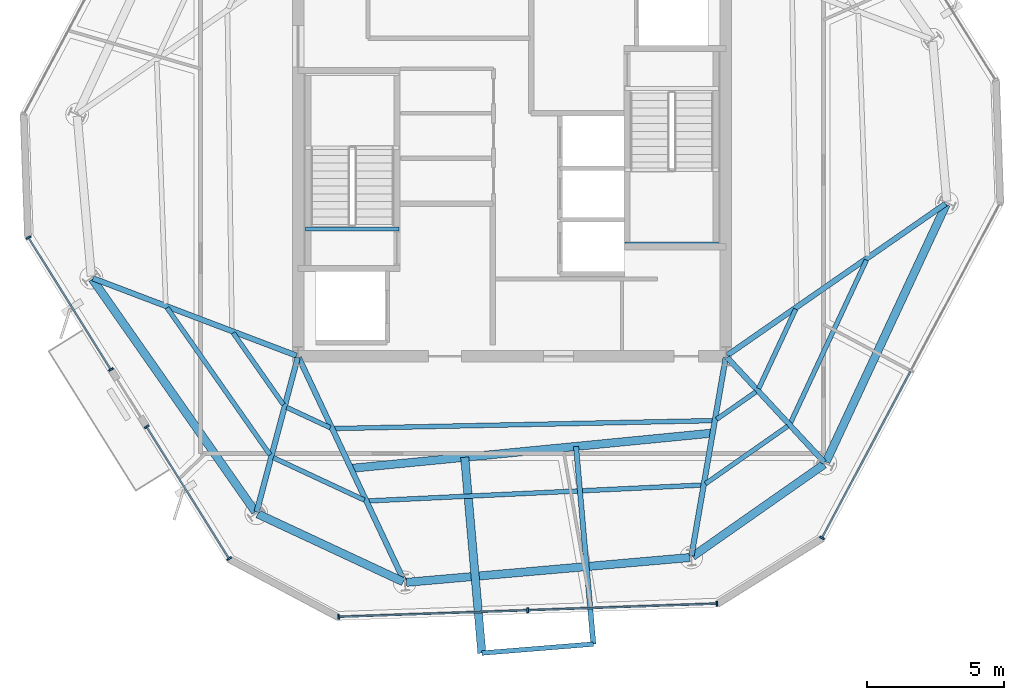
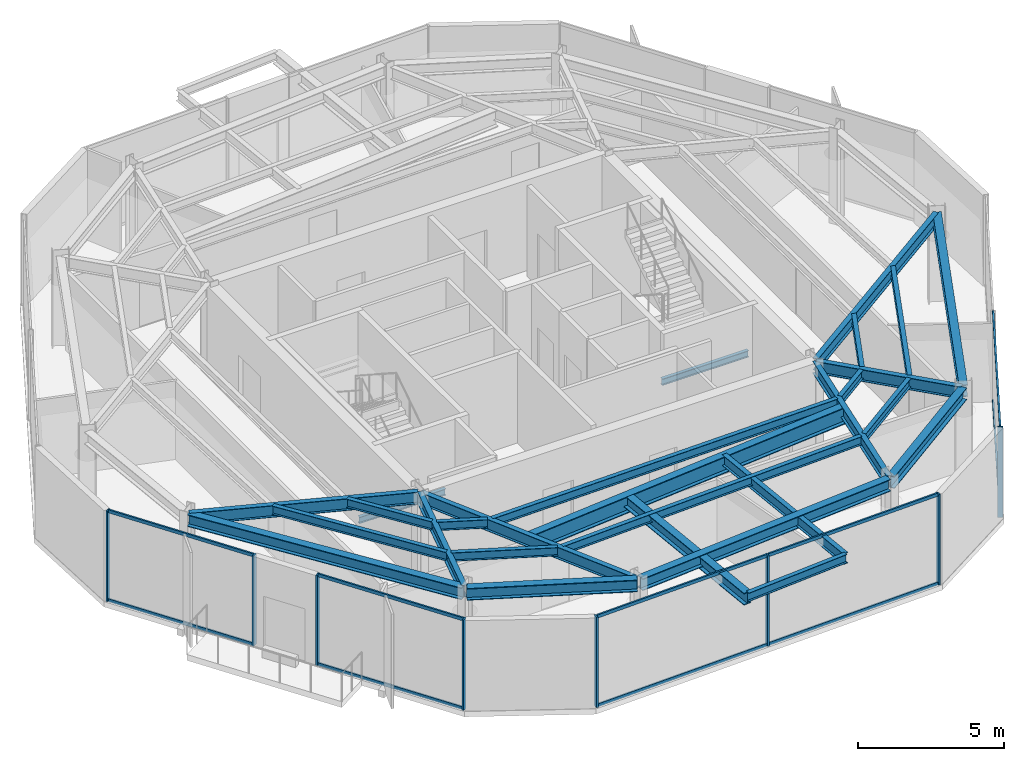
# One storey, part 2 of 11: 27 beams, 18 members, 4 elements without a shape of their own.
"""IFC4 building model written with IfcOpenShell, lengths in metres."""

import ifcopenshell
import ifcopenshell.guid

model = None  # the IFC model being written
_history = None  # IfcOwnerHistory: only IFC2X3 demands one
_inside = {}  # id of a spatial element -> (the spatial element, [elements in it])
_under = {}  # id of a project, library or spatial element -> (it, [spatial elements below it])
_declared = {}  # id of a project -> (the project, [libraries it declares])
_typed = {}  # id of a type object -> (the type object, [elements of that type])
_made_of = {}  # id of a material, layer set ... -> (it, [elements and type objects made of it])


def new_model(schema):
    """Start an empty IFC model of exactly this schema.

    Asked for "IFC4X3", IfcOpenShell would pick the latest addendum, in which some entities
    have other attributes; the version numbers below select the first issue.
    IFC2X3 requires an IfcOwnerHistory on every rooted entity: one is made here for all.
    """
    global model, _history
    if schema == "IFC4X3":
        model = ifcopenshell.file(schema_version=(4, 3, 0, 0))
    else:
        model = ifcopenshell.file(schema=schema)
    _inside.clear()
    _under.clear()
    _declared.clear()
    _typed.clear()
    _made_of.clear()
    _history = None
    if model.schema == "IFC2X3":
        org = make("IfcOrganization", Name="unknown")
        user = make(
            "IfcPersonAndOrganization",
            ThePerson=make("IfcPerson", FamilyName="unknown"),
            TheOrganization=org,
        )
        app = make(
            "IfcApplication",
            ApplicationDeveloper=org,
            Version="unknown",
            ApplicationFullName="unknown",
            ApplicationIdentifier="unknown",
        )
        _history = make(
            "IfcOwnerHistory",
            OwningUser=user,
            OwningApplication=app,
            ChangeAction="ADDED",
            CreationDate=0,
        )
    return model


def make(cls, **values):
    """One entity of the class cls with the attributes given. An attribute that is None is left unset."""
    return model.create_entity(
        cls, **{name: value for name, value in values.items() if value is not None}
    )


def rooted(cls, **values):
    """An entity with a GlobalId (a new one), such as an element, a storey or a relation."""
    return make(cls, GlobalId=ifcopenshell.guid.new(), OwnerHistory=_history, **values)


def si_unit(unit_type, name, prefix=None):
    """IfcSIUnit, for example si_unit("LENGTHUNIT", "METRE", prefix="MILLI")."""
    return make("IfcSIUnit", UnitType=unit_type, Prefix=prefix, Name=name)


def assignment(units):
    """IfcUnitAssignment: the units of a project."""
    return None if units is None else make("IfcUnitAssignment", Units=units)


def point(xyz):
    """IfcCartesianPoint."""
    return None if xyz is None else make("IfcCartesianPoint", Coordinates=xyz)


def direction(xyz):
    """IfcDirection."""
    return None if xyz is None else make("IfcDirection", DirectionRatios=xyz)


def frame(location, z_axis=None, x_axis=None):
    """IfcAxis2Placement3D, a coordinate frame: its origin and axes. An axis left out is left unset."""
    return make(
        "IfcAxis2Placement3D",
        Location=point(location),
        Axis=direction(z_axis),
        RefDirection=direction(x_axis),
    )


def frame_2d(location, x_axis=None):
    """IfcAxis2Placement2D, a coordinate frame in the plane: its origin and x axis."""
    return make(
        "IfcAxis2Placement2D", Location=point(location), RefDirection=direction(x_axis)
    )


def origin():
    """The frame at (0, 0, 0) with its axes left unset."""
    return frame((0.0, 0.0, 0.0))


def origin_2d():
    """The frame at (0, 0) in the plane with its x axis left unset."""
    return frame_2d((0.0, 0.0))


def place(relative_to, where):
    """IfcLocalPlacement: puts the frame where relative to a parent placement (None: the world)."""
    return make(
        "IfcLocalPlacement", PlacementRelTo=relative_to, RelativePlacement=where
    )


def context(
    kind, dimensions, precision=None, world=None, true_north=None, identifier=None
):
    """IfcGeometricRepresentationContext, for example the 3D "Model" context."""
    return make(
        "IfcGeometricRepresentationContext",
        ContextIdentifier=identifier,
        ContextType=kind,
        CoordinateSpaceDimension=dimensions,
        Precision=precision,
        WorldCoordinateSystem=world,
        TrueNorth=true_north,
    )


def subcontext(parent, identifier, kind, view, scale=None):
    """IfcGeometricRepresentationSubContext, for example "Body" below "Model"."""
    return make(
        "IfcGeometricRepresentationSubContext",
        ContextIdentifier=identifier,
        ContextType=kind,
        ParentContext=parent,
        TargetScale=scale,
        TargetView=view,
    )


def project(units=None, contexts=None):
    """IfcProject with its units and contexts."""
    return rooted(
        "IfcProject",
        Name="project",
        RepresentationContexts=contexts,
        UnitsInContext=assignment(units),
    )


def spatial(cls, under=None, at=None, **own):
    """A site, building, storey or space (cls), placed at a placement, below another one or the project."""
    s = rooted(cls, ObjectPlacement=at, **own)
    if under is not None:
        _under.setdefault(under.id(), (under, []))[1].append(s)
    return s


def profile(cls, at=None, kind="AREA", **sizes):
    """A parametric profile (cls). Its sizes go by their IFC names, for example OverallWidth=200.0."""
    return make(cls, ProfileType=kind, Position=at, **sizes)


def rectangle(**sizes):
    """IfcRectangleProfileDef."""
    return profile("IfcRectangleProfileDef", **sizes)


def i_section(**sizes):
    """IfcIShapeProfileDef."""
    return profile("IfcIShapeProfileDef", **sizes)


def extrude(swept, where, along, depth):
    """IfcExtrudedAreaSolid: the profile swept, set in the frame where, extruded along a direction by depth."""
    return make(
        "IfcExtrudedAreaSolid",
        SweptArea=swept,
        Position=where,
        ExtrudedDirection=direction(along),
        Depth=depth,
    )


def shape(context_of_items, identifier, shape_type, items):
    """IfcShapeRepresentation: the items that make up one representation, for example the "Body"."""
    return make(
        "IfcShapeRepresentation",
        ContextOfItems=context_of_items,
        RepresentationIdentifier=identifier,
        RepresentationType=shape_type,
        Items=items,
    )


def material(Name=None, Category=None):
    """IfcMaterial."""
    return make("IfcMaterial", Name=Name, Category=Category)


def layer(
    of_material, thickness, ventilated=None, Name=None, Category=None, Priority=None
):
    """IfcMaterialLayer: one layer of a wall or slab, of a material (None: an air gap)."""
    return make(
        "IfcMaterialLayer",
        Material=of_material,
        LayerThickness=thickness,
        IsVentilated=ventilated,
        Name=Name,
        Category=Category,
        Priority=Priority,
    )


def layer_set(layers, Name=None):
    """IfcMaterialLayerSet."""
    return make("IfcMaterialLayerSet", MaterialLayers=layers, LayerSetName=Name)


def material_profile(
    of_material, cross_section, Name=None, Category=None, Priority=None
):
    """IfcMaterialProfile: a cross section and its material."""
    return make(
        "IfcMaterialProfile",
        Name=Name,
        Material=of_material,
        Profile=cross_section,
        Priority=Priority,
        Category=Category,
    )


def profile_set(profiles, Name=None, composite=None):
    """IfcMaterialProfileSet."""
    return make(
        "IfcMaterialProfileSet",
        Name=Name,
        MaterialProfiles=profiles,
        CompositeProfile=composite,
    )


def made_of(thing, what):
    """Note that an element or type object is made of a material, layer set ...; save() writes the relation."""
    if what is not None:
        _made_of.setdefault(what.id(), (what, []))[1].append(thing)
    return thing


def type_object(cls, material=None, **own):
    """A type object (cls), such as IfcWallType, which elements share."""
    return made_of(rooted(cls, **own), material)


def element(
    cls,
    number,
    at=None,
    inside=None,
    cuts=None,
    type_object=None,
    material=None,
    context=None,
    identifier="Body",
    shape_type=None,
    held_by="IfcProductDefinitionShape",
    body=None,
    shapes=None,
    **own,
):
    """One element of the class cls, such as IfcWall. Its Tag is "e" and its number.

    at: its placement. inside: the storey or other place that contains it. cuts: it is an
    opening in that element (IfcRelVoidsElement). A single representation is given by context,
    identifier, shape_type and body (its items); several are given by shapes. held_by: the class
    of the entity that holds the representations. save() writes the other relations.
    """
    e = rooted(cls, Tag="e%d" % number, ObjectPlacement=at, **own)
    if body is not None:
        shapes = [shape(context, identifier, shape_type, body)]
    if shapes is not None:
        e.Representation = make(held_by, Representations=shapes)
    if inside is not None:
        _inside.setdefault(inside.id(), (inside, []))[1].append(e)
    if cuts is not None:
        rooted(
            "IfcRelVoidsElement", RelatingBuildingElement=cuts, RelatedOpeningElement=e
        )
    if type_object is not None:
        _typed.setdefault(type_object.id(), (type_object, []))[1].append(e)
    return made_of(e, material)


def aggregate(whole, parts):
    """IfcRelAggregates: a whole, such as a stair, and the parts it consists of."""
    return rooted("IfcRelAggregates", RelatingObject=whole, RelatedObjects=parts)


def save(model, path):
    """Write the relations noted so far, then the file.

    IfcRelAggregates (storeys below a building ...), IfcRelContainedInSpatialStructure (elements
    in a storey), IfcRelDefinesByType, IfcRelAssociatesMaterial and IfcRelDeclares: one each for
    every whole, place, type object, material and project.
    """
    for whole, parts in _under.values():
        aggregate(whole, parts)
    for where, things in _inside.values():
        rooted(
            "IfcRelContainedInSpatialStructure",
            RelatedElements=things,
            RelatingStructure=where,
        )
    for kind, things in _typed.values():
        rooted("IfcRelDefinesByType", RelatedObjects=things, RelatingType=kind)
    for what, things in _made_of.values():
        rooted("IfcRelAssociatesMaterial", RelatedObjects=things, RelatingMaterial=what)
    for by, libraries in _declared.values():
        rooted("IfcRelDeclares", RelatingContext=by, RelatedDefinitions=libraries)
    model.write(path)


model = new_model("IFC4")

# Units and contexts
model_context = context("Model", 3, precision=1e-05, world=origin(), true_north=direction((0.0, 1.0)))
body_context = subcontext(model_context, "Body", "Model", "MODEL_VIEW")
ifc_project = project(units=[si_unit("LENGTHUNIT", "METRE"), si_unit("AREAUNIT", "SQUARE_METRE"), si_unit("VOLUMEUNIT", "CUBIC_METRE"), si_unit("PLANEANGLEUNIT", "RADIAN"), si_unit("MASSUNIT", "GRAM", prefix="KILO")], contexts=[model_context])

# Site, building, storey
site_placement = place(None, origin())
site = spatial("IfcSite", under=ifc_project, at=site_placement, CompositionType="ELEMENT")
building_placement = place(site_placement, origin())
building = spatial("IfcBuilding", under=site, at=building_placement, Name="Kranzbogen Civic Tower", CompositionType="ELEMENT")
storey_placement = place(building_placement, frame((0.0, 0.0, 274.199951171875)))
storey = spatial("IfcBuildingStorey", under=building, at=storey_placement, Name="L66", CompositionType="ELEMENT", Elevation=274.199951171875)

# Beam
ifc_material_1 = material(Name="Steel S355", Category="steel")
ifc_material_profile_1 = material_profile(ifc_material_1, i_section(OverallWidth=0.18994140625, OverallDepth=0.449951171875, WebThickness=0.009521484375, FlangeThickness=0.0146484375, at=origin_2d()), Name="IPE 450")
ifc_profile_set_1 = profile_set([ifc_material_profile_1], Name="Steel S355")
beam_type_1 = type_object("IfcBeamType", Name="Braced Terrace Edge Beam IPE 450", PredefinedType="BEAM", material=ifc_profile_set_1)
beam_1_placement = place(storey_placement, frame((27.3349609375, 14.510986328125, 3.525146484375), z_axis=(0.087233929673, -0.99618785453, 0.0), x_axis=(0.99618785453, 0.087233929673, 0.0)))
element("IfcBeam", 1, at=beam_1_placement, inside=storey, type_object=beam_type_1, Name="L67 back-spanned terrace beam L67-TB2-2", PredefinedType="BEAM", context=body_context, shape_type="SweptSolid", body=[
    extrude(i_section(OverallWidth=0.18994140625, OverallDepth=0.449951171875, WebThickness=0.009521484375, FlangeThickness=0.0146484375, at=origin_2d()), origin(), (0.0, 0.0, 1.0), 7.234619140625),
])

# Curtain wall, members
ifc_material_2 = material(Name="Pale Anodised Aluminium", Category="aluminium")
ifc_layer = layer(ifc_material_2, 0.219970703125, Name="Pale Anodised Aluminium")
ifc_layer_set = layer_set([ifc_layer], Name="Pale Anodised Aluminium")
curtain_wall_type = type_object("IfcCurtainWallType", Name="Zone 4 Stick Curtain Wall System CW-05", PredefinedType="USERDEFINED", material=ifc_layer_set)
curtain_wall_1_placement = place(storey_placement, origin())
curtain_wall_1 = element("IfcCurtainWall", 2, at=curtain_wall_1_placement, inside=storey, type_object=curtain_wall_type, Name="L66 curtain wall CW-L66-F3-S1", ObjectType="STICK CURTAIN WALL", PredefinedType="USERDEFINED")
ifc_material_profile_2 = material_profile(ifc_material_2, rectangle(XDim=0.06494140625, YDim=0.179931640625, at=origin_2d()), Name="ALU-M 65x180")
ifc_profile_set_2 = profile_set([ifc_material_profile_2], Name="Pale Anodised Aluminium")
member_type_1 = type_object("IfcMemberType", Name="Curtain Wall Mullion ALU-M 65x180", PredefinedType="MULLION", material=ifc_profile_set_2)
member_1_placement = place(storey_placement, frame((7.373779296875, 22.12451171875, 0.0), z_axis=(0.0, 0.0, 1.0), x_axis=(0.529983258898, -0.848008104494, 0.0)))
member_1 = element("IfcMember", 3, at=member_1_placement, type_object=member_type_1, Name="CW-05 mullion 1", PredefinedType="MULLION", context=body_context, shape_type="SweptSolid", body=[
    extrude(rectangle(XDim=0.06494140625, YDim=0.179931640625, at=origin_2d()), origin(), (0.0, 0.0, 1.0), 3.780029296875),
])
member_2_placement = place(storey_placement, frame((10.380126953125, 17.314453125, 0.0), z_axis=(0.0, 0.0, 1.0), x_axis=(0.529983258898, -0.848008104494, 0.0)))
member_2 = element("IfcMember", 4, at=member_2_placement, type_object=member_type_1, Name="CW-05 mullion 2", PredefinedType="MULLION", context=body_context, shape_type="SweptSolid", body=[
    extrude(rectangle(XDim=0.06494140625, YDim=0.179931640625, at=origin_2d()), origin(), (0.0, 0.0, 1.0), 3.780029296875),
])

curtain_wall_2_placement = place(storey_placement, origin())
curtain_wall_2 = element("IfcCurtainWall", 5, at=curtain_wall_2_placement, inside=storey, type_object=curtain_wall_type, Name="L66 curtain wall CW-L66-F3-S2", ObjectType="STICK CURTAIN WALL", PredefinedType="USERDEFINED")
member_3_placement = place(storey_placement, frame((11.682861328125, 15.228515625, 0.0), z_axis=(0.0, 0.0, 1.0), x_axis=(0.529983258898, -0.848008104494, 0.0)))
member_3 = element("IfcMember", 6, at=member_3_placement, type_object=member_type_1, Name="CW-05 mullion 1", PredefinedType="MULLION", context=body_context, shape_type="SweptSolid", body=[
    extrude(rectangle(XDim=0.06494140625, YDim=0.179931640625, at=origin_2d()), origin(), (0.0, 0.0, 1.0), 3.780029296875),
])
member_4_placement = place(storey_placement, frame((14.689208984375, 10.41845703125, 0.0), z_axis=(0.0, 0.0, 1.0), x_axis=(0.529983258898, -0.848008104494, 0.0)))
member_4 = element("IfcMember", 7, at=member_4_placement, type_object=member_type_1, Name="CW-05 mullion 2", PredefinedType="MULLION", context=body_context, shape_type="SweptSolid", body=[
    extrude(rectangle(XDim=0.06494140625, YDim=0.179931640625, at=origin_2d()), origin(), (0.0, 0.0, 1.0), 3.780029296875),
])

curtain_wall_3_placement = place(storey_placement, origin())
curtain_wall_3 = element("IfcCurtainWall", 8, at=curtain_wall_3_placement, inside=storey, type_object=curtain_wall_type, Name="L66 curtain wall CW-L66-F4", ObjectType="STICK CURTAIN WALL", PredefinedType="USERDEFINED")
member_5_placement = place(storey_placement, frame((18.677978515625, 8.298095703125, 0.0), z_axis=(0.0, 0.0, 1.0), x_axis=(0.999390304431, 0.034914458455, 0.0)))
member_5 = element("IfcMember", 9, at=member_5_placement, type_object=member_type_1, Name="CW-05 mullion 1", PredefinedType="MULLION", context=body_context, shape_type="SweptSolid", body=[
    extrude(rectangle(XDim=0.06494140625, YDim=0.179931640625, at=origin_2d()), origin(), (0.0, 0.0, 1.0), 3.780029296875),
])
member_6_placement = place(storey_placement, frame((25.574951171875, 8.5390625, 0.0), z_axis=(0.0, 0.0, 1.0), x_axis=(0.999390304431, 0.034914458455, 0.0)))
member_6 = element("IfcMember", 10, at=member_6_placement, type_object=member_type_1, Name="CW-05 mullion 2", PredefinedType="MULLION", context=body_context, shape_type="SweptSolid", body=[
    extrude(rectangle(XDim=0.06494140625, YDim=0.179931640625, at=origin_2d()), origin(), (0.0, 0.0, 1.0), 3.780029296875),
])
member_7_placement = place(storey_placement, frame((32.471923828125, 8.780029296875, 0.0), z_axis=(0.0, 0.0, 1.0), x_axis=(0.999390304431, 0.034914458455, 0.0)))
member_7 = element("IfcMember", 11, at=member_7_placement, type_object=member_type_1, Name="CW-05 mullion 3", PredefinedType="MULLION", context=body_context, shape_type="SweptSolid", body=[
    extrude(rectangle(XDim=0.06494140625, YDim=0.179931640625, at=origin_2d()), origin(), (0.0, 0.0, 1.0), 3.780029296875),
])

# Curtain wall, member
curtain_wall_4_placement = place(storey_placement, origin())
curtain_wall_4 = element("IfcCurtainWall", 12, at=curtain_wall_4_placement, inside=storey, type_object=curtain_wall_type, Name="L66 curtain wall CW-L66-F5", ObjectType="STICK CURTAIN WALL", PredefinedType="USERDEFINED")
member_8_placement = place(storey_placement, frame((36.302978515625, 11.174560546875, 0.0), z_axis=(0.0, 0.0, 1.0), x_axis=(0.469520855641, 0.882921381618, 0.0)))
member_8 = element("IfcMember", 13, at=member_8_placement, type_object=member_type_1, Name="CW-05 mullion 1", PredefinedType="MULLION", context=body_context, shape_type="SweptSolid", body=[
    extrude(rectangle(XDim=0.06494140625, YDim=0.179931640625, at=origin_2d()), origin(), (0.0, 0.0, 1.0), 3.780029296875),
])

# Member
ifc_material_profile_3 = material_profile(ifc_material_2, rectangle(XDim=0.06494140625, YDim=0.135009765625, at=origin_2d()), Name="ALU-T 65x135")
ifc_profile_set_3 = profile_set([ifc_material_profile_3], Name="Pale Anodised Aluminium")
member_type_2 = type_object("IfcMemberType", Name="Curtain Wall Transom ALU-T 65x135", PredefinedType="USERDEFINED", material=ifc_profile_set_3)
member_9_placement = place(storey_placement, frame((7.389892578125, 22.09912109375, 0.030029296875), z_axis=(0.529975478463, -0.848012967016, 0.0), x_axis=(0.848012967016, 0.529975478463, 0.0)))
member_9 = element("IfcMember", 14, at=member_9_placement, type_object=member_type_2, Name="CW-05 transom 1.1", ObjectType="TRANSOM", PredefinedType="USERDEFINED", context=body_context, shape_type="SweptSolid", body=[
    extrude(rectangle(XDim=0.06494140625, YDim=0.135009765625, at=origin_2d()), origin(), (0.0, 0.0, 1.0), 5.6123046875),
])

member_10_placement = place(storey_placement, frame((7.389892578125, 22.09912109375, 3.75), z_axis=(0.529975478463, -0.848012967016, 0.0), x_axis=(0.848012967016, 0.529975478463, 0.0)))
member_10 = element("IfcMember", 15, at=member_10_placement, type_object=member_type_2, Name="CW-05 transom 1.2", ObjectType="TRANSOM", PredefinedType="USERDEFINED", context=body_context, shape_type="SweptSolid", body=[
    extrude(rectangle(XDim=0.06494140625, YDim=0.135009765625, at=origin_2d()), origin(), (0.0, 0.0, 1.0), 5.6123046875),
])

aggregate(curtain_wall_1, [member_1, member_2, member_9, member_10])

member_11_placement = place(storey_placement, frame((11.69873046875, 15.203125, 0.030029296875), z_axis=(0.529975478463, -0.848012967016, 0.0), x_axis=(0.848012967016, 0.529975478463, 0.0)))
member_11 = element("IfcMember", 16, at=member_11_placement, type_object=member_type_2, Name="CW-05 transom 1.1", ObjectType="TRANSOM", PredefinedType="USERDEFINED", context=body_context, shape_type="SweptSolid", body=[
    extrude(rectangle(XDim=0.06494140625, YDim=0.135009765625, at=origin_2d()), origin(), (0.0, 0.0, 1.0), 5.6123046875),
])

member_12_placement = place(storey_placement, frame((11.69873046875, 15.203125, 3.75), z_axis=(0.529975478463, -0.848012967016, 0.0), x_axis=(0.848012967016, 0.529975478463, 0.0)))
member_12 = element("IfcMember", 17, at=member_12_placement, type_object=member_type_2, Name="CW-05 transom 1.2", ObjectType="TRANSOM", PredefinedType="USERDEFINED", context=body_context, shape_type="SweptSolid", body=[
    extrude(rectangle(XDim=0.06494140625, YDim=0.135009765625, at=origin_2d()), origin(), (0.0, 0.0, 1.0), 5.6123046875),
])

aggregate(curtain_wall_2, [member_3, member_4, member_11, member_12])

member_13_placement = place(storey_placement, frame((18.7080078125, 8.299072265625, 0.030029296875), z_axis=(0.999390728968, 0.034902304418, 0.0), x_axis=(-0.034902304418, 0.999390728968, 0.0)))
member_13 = element("IfcMember", 18, at=member_13_placement, type_object=member_type_2, Name="CW-05 transom 1.1", ObjectType="TRANSOM", PredefinedType="USERDEFINED", context=body_context, shape_type="SweptSolid", body=[
    extrude(rectangle(XDim=0.06494140625, YDim=0.135009765625, at=origin_2d()), origin(), (0.0, 0.0, 1.0), 6.841064453125),
])

member_14_placement = place(storey_placement, frame((18.7080078125, 8.299072265625, 3.75), z_axis=(0.999390728968, 0.034902304418, 0.0), x_axis=(-0.034902304418, 0.999390728968, 0.0)))
member_14 = element("IfcMember", 19, at=member_14_placement, type_object=member_type_2, Name="CW-05 transom 1.2", ObjectType="TRANSOM", PredefinedType="USERDEFINED", context=body_context, shape_type="SweptSolid", body=[
    extrude(rectangle(XDim=0.06494140625, YDim=0.135009765625, at=origin_2d()), origin(), (0.0, 0.0, 1.0), 6.841064453125),
])

member_15_placement = place(storey_placement, frame((25.60498046875, 8.5400390625, 0.030029296875), z_axis=(0.999390772439, 0.034901059648, 0.0), x_axis=(-0.034901059648, 0.999390772439, 0.0)))
member_15 = element("IfcMember", 20, at=member_15_placement, type_object=member_type_2, Name="CW-05 transom 2.1", ObjectType="TRANSOM", PredefinedType="USERDEFINED", context=body_context, shape_type="SweptSolid", body=[
    extrude(rectangle(XDim=0.06494140625, YDim=0.135009765625, at=origin_2d()), origin(), (0.0, 0.0, 1.0), 6.84130859375),
])

member_16_placement = place(storey_placement, frame((25.60498046875, 8.5400390625, 3.75), z_axis=(0.999390772439, 0.034901059648, 0.0), x_axis=(-0.034901059648, 0.999390772439, 0.0)))
member_16 = element("IfcMember", 21, at=member_16_placement, type_object=member_type_2, Name="CW-05 transom 2.2", ObjectType="TRANSOM", PredefinedType="USERDEFINED", context=body_context, shape_type="SweptSolid", body=[
    extrude(rectangle(XDim=0.06494140625, YDim=0.135009765625, at=origin_2d()), origin(), (0.0, 0.0, 1.0), 6.84130859375),
])

aggregate(curtain_wall_3, [member_5, member_6, member_7, member_13, member_14, member_15, member_16])

member_17_placement = place(storey_placement, frame((36.317138671875, 11.200927734375, 0.030029296875), z_axis=(0.469511769143, 0.882926213585, 0.0), x_axis=(-0.882926213585, 0.469511769143, 0.0)))
member_17 = element("IfcMember", 22, at=member_17_placement, type_object=member_type_2, Name="CW-05 transom 1.1", ObjectType="TRANSOM", PredefinedType="USERDEFINED", context=body_context, shape_type="SweptSolid", body=[
    extrude(rectangle(XDim=0.06494140625, YDim=0.135009765625, at=origin_2d()), origin(), (0.0, 0.0, 1.0), 6.841552734375),
])

member_18_placement = place(storey_placement, frame((36.317138671875, 11.200927734375, 3.75), z_axis=(0.469511769143, 0.882926213585, 0.0), x_axis=(-0.882926213585, 0.469511769143, 0.0)))
member_18 = element("IfcMember", 23, at=member_18_placement, type_object=member_type_2, Name="CW-05 transom 1.2", ObjectType="TRANSOM", PredefinedType="USERDEFINED", context=body_context, shape_type="SweptSolid", body=[
    extrude(rectangle(XDim=0.06494140625, YDim=0.135009765625, at=origin_2d()), origin(), (0.0, 0.0, 1.0), 6.841552734375),
])

aggregate(curtain_wall_4, [member_8, member_17, member_18])

# Beams
ifc_material_profile_4 = material_profile(ifc_material_1, i_section(OverallWidth=0.300048828125, OverallDepth=0.5, WebThickness=0.014404296875, FlangeThickness=0.028076171875, at=origin_2d()), Name="HEB 500")
ifc_profile_set_4 = profile_set([ifc_material_profile_4], Name="Steel S355")
beam_type_2 = type_object("IfcBeamType", Name="Perimeter Tube Spandrel Beam HEB 500", PredefinedType="SPANDREL", material=ifc_profile_set_4)
beam_2_placement = place(storey_placement, frame((9.699951171875, 20.612060546875, 3.530029296875), z_axis=(0.573577759301, -0.819151117948, 0.0), x_axis=(0.819151117948, 0.573577759301, 0.0)))
element("IfcBeam", 24, at=beam_2_placement, inside=storey, type_object=beam_type_2, Name="L66 perimeter spandrel beam 01", PredefinedType="SPANDREL", context=body_context, shape_type="SweptSolid", body=[
    extrude(i_section(OverallWidth=0.300048828125, OverallDepth=0.5, WebThickness=0.014404296875, FlangeThickness=0.028076171875, at=origin_2d()), origin(), (0.0, 0.0, 1.0), 10.36328125),
])
beam_3_placement = place(storey_placement, frame((15.73193359375, 12.049072265625, 3.530029296875), z_axis=(0.906289661556, -0.422657129784, 0.0), x_axis=(0.422657129784, 0.906289661556, 0.0)))
element("IfcBeam", 25, at=beam_3_placement, inside=storey, type_object=beam_type_2, Name="L66 perimeter spandrel beam 02", PredefinedType="SPANDREL", context=body_context, shape_type="SweptSolid", body=[
    extrude(i_section(OverallWidth=0.300048828125, OverallDepth=0.5, WebThickness=0.014404296875, FlangeThickness=0.028076171875, at=origin_2d()), origin(), (0.0, 0.0, 1.0), 5.853759765625),
])
beam_4_placement = place(storey_placement, frame((21.15087890625, 9.554931640625, 3.530029296875), z_axis=(0.996186373839, 0.087250837114, 0.0), x_axis=(-0.087250837114, 0.996186373839, 0.0)))
element("IfcBeam", 26, at=beam_4_placement, inside=storey, type_object=beam_type_2, Name="L66 perimeter spandrel beam 03", PredefinedType="SPANDREL", context=body_context, shape_type="SweptSolid", body=[
    extrude(i_section(OverallWidth=0.300048828125, OverallDepth=0.5, WebThickness=0.014404296875, FlangeThickness=0.028076171875, at=origin_2d()), origin(), (0.0, 0.0, 1.0), 10.361572265625),
])
beam_5_placement = place(storey_placement, frame((31.58203125, 10.498046875, 3.530029296875), z_axis=(0.819059436004, 0.57370867197, 0.0), x_axis=(-0.57370867197, 0.819059436004, 0.0)))
element("IfcBeam", 27, at=beam_5_placement, inside=storey, type_object=beam_type_2, Name="L66 perimeter spandrel beam 04", PredefinedType="SPANDREL", context=body_context, shape_type="SweptSolid", body=[
    extrude(i_section(OverallWidth=0.300048828125, OverallDepth=0.5, WebThickness=0.014404296875, FlangeThickness=0.028076171875, at=origin_2d()), origin(), (0.0, 0.0, 1.0), 5.85302734375),
])
beam_6_placement = place(storey_placement, frame((36.449951171875, 13.944091796875, 3.530029296875), z_axis=(0.422668780888, 0.906284227857, 0.0), x_axis=(-0.906284227857, 0.422668780888, 0.0)))
element("IfcBeam", 28, at=beam_6_placement, inside=storey, type_object=beam_type_2, Name="L66 perimeter spandrel beam 05", PredefinedType="SPANDREL", context=body_context, shape_type="SweptSolid", body=[
    extrude(i_section(OverallWidth=0.300048828125, OverallDepth=0.5, WebThickness=0.014404296875, FlangeThickness=0.028076171875, at=origin_2d()), origin(), (0.0, 0.0, 1.0), 10.363037109375),
])
beam_7_placement = place(storey_placement, frame((23.27587890625, 14.114990234375, 3.5), z_axis=(0.087214705946, -0.996189537722, 0.0), x_axis=(0.996189537722, 0.087214705946, 0.0)))
element("IfcBeam", 29, at=beam_7_placement, inside=storey, type_object=beam_type_2, Name="L67 back-spanned terrace beam L67-TB2-1", PredefinedType="SPANDREL", context=body_context, shape_type="SweptSolid", body=[
    extrude(i_section(OverallWidth=0.300048828125, OverallDepth=0.5, WebThickness=0.014404296875, FlangeThickness=0.028076171875, at=origin_2d()), origin(), (0.0, 0.0, 1.0), 7.166259765625),
])
ifc_material_profile_5 = material_profile(ifc_material_1, i_section(OverallWidth=0.300048828125, OverallDepth=0.699951171875, WebThickness=0.01708984375, FlangeThickness=0.031982421875, at=origin_2d()), Name="HEB 700")
ifc_profile_set_5 = profile_set([ifc_material_profile_5], Name="Steel S355")
beam_type_3 = type_object("IfcBeamType", Name="Perimeter Tube Spandrel Beam HEB 700", PredefinedType="SPANDREL", material=ifc_profile_set_5)
beam_8_placement = place(storey_placement, frame((19.12890625, 13.7099609375, 3.400146484375), z_axis=(0.995270463506, 0.097142701589, 0.0), x_axis=(-0.097142701589, 0.995270463506, 0.0)))
element("IfcBeam", 30, at=beam_8_placement, inside=storey, type_object=beam_type_3, Name="L67 balcony back-span header girder L67-TB2", PredefinedType="SPANDREL", context=body_context, shape_type="SweptSolid", body=[
    extrude(i_section(OverallWidth=0.300048828125, OverallDepth=0.699951171875, WebThickness=0.01708984375, FlangeThickness=0.031982421875, at=origin_2d()), origin(), (0.0, 0.0, 1.0), 13.249755859375),
])
ifc_material_profile_6 = material_profile(ifc_material_1, i_section(OverallWidth=0.199951171875, OverallDepth=0.5, WebThickness=0.01025390625, FlangeThickness=0.01611328125, at=origin_2d()), Name="IPE 500")
ifc_profile_set_6 = profile_set([ifc_material_profile_6], Name="Steel S355")
beam_type_4 = type_object("IfcBeamType", Name="Radial Tower Floor Girder IPE 500", PredefinedType="BEAM", material=ifc_profile_set_6)
beam_9_placement = place(storey_placement, frame((9.721923828125, 20.639892578125, 3.530029296875), z_axis=(0.934848709689, -0.355046320913, 0.0), x_axis=(0.355046320913, 0.934848709689, 0.0)))
element("IfcBeam", 31, at=beam_9_placement, inside=storey, type_object=beam_type_4, Name="L66 radial floor girder 01", PredefinedType="BEAM", context=body_context, shape_type="SweptSolid", body=[
    extrude(i_section(OverallWidth=0.199951171875, OverallDepth=0.5, WebThickness=0.01025390625, FlangeThickness=0.01611328125, at=origin_2d()), origin(), (0.0, 0.0, 1.0), 7.939453125),
])
beam_10_placement = place(storey_placement, frame((15.693115234375, 12.132080078125, 3.530029296875), z_axis=(0.257016017622, 0.966407143333, 0.0), x_axis=(-0.966407143333, 0.257016017622, 0.0)))
element("IfcBeam", 32, at=beam_10_placement, inside=storey, type_object=beam_type_4, Name="L66 radial floor girder 02", PredefinedType="BEAM", context=body_context, shape_type="SweptSolid", body=[
    extrude(i_section(OverallWidth=0.199951171875, OverallDepth=0.5, WebThickness=0.01025390625, FlangeThickness=0.01611328125, at=origin_2d()), origin(), (0.0, 0.0, 1.0), 5.804931640625),
])
beam_11_placement = place(storey_placement, frame((21.06494140625, 9.60400390625, 3.530029296875), z_axis=(-0.426460441273, 0.904506214478, 0.0), x_axis=(-0.904506214478, -0.426460441273, 0.0)))
element("IfcBeam", 33, at=beam_11_placement, inside=storey, type_object=beam_type_4, Name="L66 radial floor girder 03", PredefinedType="BEAM", context=body_context, shape_type="SweptSolid", body=[
    extrude(i_section(OverallWidth=0.199951171875, OverallDepth=0.5, WebThickness=0.01025390625, FlangeThickness=0.01611328125, at=origin_2d()), origin(), (0.0, 0.0, 1.0), 9.001708984375),
])
beam_12_placement = place(storey_placement, frame((31.54296875, 10.52294921875, 3.530029296875), z_axis=(0.170249558486, 0.985400978199, 0.0), x_axis=(-0.985400978199, 0.170249558486, 0.0)))
element("IfcBeam", 34, at=beam_12_placement, inside=storey, type_object=beam_type_4, Name="L66 radial floor girder 04", PredefinedType="BEAM", context=body_context, shape_type="SweptSolid", body=[
    extrude(i_section(OverallWidth=0.199951171875, OverallDepth=0.5, WebThickness=0.01025390625, FlangeThickness=0.01611328125, at=origin_2d()), origin(), (0.0, 0.0, 1.0), 7.324951171875),
])
beam_13_placement = place(storey_placement, frame((36.384033203125, 13.93408203125, 3.530029296875), z_axis=(-0.679827353702, 0.733372190064, 0.0), x_axis=(-0.733372190064, -0.679827353702, 0.0)))
element("IfcBeam", 35, at=beam_13_placement, inside=storey, type_object=beam_type_4, Name="L66 radial floor girder 05", PredefinedType="BEAM", context=body_context, shape_type="SweptSolid", body=[
    extrude(i_section(OverallWidth=0.199951171875, OverallDepth=0.5, WebThickness=0.01025390625, FlangeThickness=0.01611328125, at=origin_2d()), origin(), (0.0, 0.0, 1.0), 5.211669921875),
])
beam_14_placement = place(storey_placement, frame((40.805908203125, 23.35595703125, 3.530029296875), z_axis=(-0.821542812331, -0.570146829779, 0.0), x_axis=(0.570146829779, -0.821542812331, 0.0)))
element("IfcBeam", 36, at=beam_14_placement, inside=storey, type_object=beam_type_4, Name="L66 radial floor girder 06", PredefinedType="BEAM", context=body_context, shape_type="SweptSolid", body=[
    extrude(i_section(OverallWidth=0.199951171875, OverallDepth=0.5, WebThickness=0.01025390625, FlangeThickness=0.01611328125, at=origin_2d()), origin(), (0.0, 0.0, 1.0), 9.68505859375),
])
ifc_material_profile_7 = material_profile(ifc_material_1, i_section(OverallWidth=0.169921875, OverallDepth=0.360107421875, WebThickness=0.008056640625, FlangeThickness=0.0126953125, at=origin_2d()), Name="IPE 360")
ifc_profile_set_7 = profile_set([ifc_material_profile_7], Name="Steel S355")
beam_type_5 = type_object("IfcBeamType", Name="Secondary Composite Floor Joist IPE 360", PredefinedType="JOIST", material=ifc_profile_set_7)
beam_15_placement = place(storey_placement, frame((12.424072265625, 19.56591796875, 3.60009765625), z_axis=(0.573499872939, -0.819205649235, 0.0), x_axis=(0.819205649235, 0.573499872939, 0.0)))
element("IfcBeam", 37, at=beam_15_placement, inside=storey, type_object=beam_type_5, Name="L66 secondary floor joist 1.01", PredefinedType="JOIST", context=body_context, shape_type="SweptSolid", body=[
    extrude(i_section(OverallWidth=0.169921875, OverallDepth=0.360107421875, WebThickness=0.008056640625, FlangeThickness=0.0126953125, at=origin_2d()), origin(), (0.0, 0.0, 1.0), 6.549072265625),
])
beam_16_placement = place(storey_placement, frame((14.8349609375, 18.64990234375, 3.60009765625), z_axis=(0.573498248491, -0.819206786457, 0.0), x_axis=(0.819206786457, 0.573498248491, 0.0)))
element("IfcBeam", 38, at=beam_16_placement, inside=storey, type_object=beam_type_5, Name="L66 secondary floor joist 2.01", PredefinedType="JOIST", context=body_context, shape_type="SweptSolid", body=[
    extrude(i_section(OverallWidth=0.169921875, OverallDepth=0.360107421875, WebThickness=0.008056640625, FlangeThickness=0.0126953125, at=origin_2d()), origin(), (0.0, 0.0, 1.0), 3.194580078125),
])
beam_17_placement = place(storey_placement, frame((16.298095703125, 14.10205078125, 3.60009765625), z_axis=(0.906303996948, -0.422626389517, 0.0), x_axis=(0.422626389517, 0.906303996948, 0.0)))
element("IfcBeam", 39, at=beam_17_placement, inside=storey, type_object=beam_type_5, Name="L66 secondary floor joist 1.02", PredefinedType="JOIST", context=body_context, shape_type="SweptSolid", body=[
    extrude(i_section(OverallWidth=0.169921875, OverallDepth=0.360107421875, WebThickness=0.008056640625, FlangeThickness=0.0126953125, at=origin_2d()), origin(), (0.0, 0.0, 1.0), 3.6630859375),
])
beam_18_placement = place(storey_placement, frame((16.784912109375, 15.93408203125, 3.60009765625), z_axis=(0.906432174342, -0.422351409751, 0.0), x_axis=(0.422351409751, 0.906432174342, 0.0)))
element("IfcBeam", 40, at=beam_18_placement, inside=storey, type_object=beam_type_5, Name="L66 secondary floor joist 2.02", PredefinedType="JOIST", context=body_context, shape_type="SweptSolid", body=[
    extrude(i_section(OverallWidth=0.169921875, OverallDepth=0.360107421875, WebThickness=0.008056640625, FlangeThickness=0.0126953125, at=origin_2d()), origin(), (0.0, 0.0, 1.0), 1.751953125),
])
beam_19_placement = place(storey_placement, frame((19.77001953125, 12.52392578125, 3.60009765625), z_axis=(0.998871634781, 0.047491654324, 0.0), x_axis=(-0.047491654324, 0.998871634781, 0.0)))
element("IfcBeam", 41, at=beam_19_placement, inside=storey, type_object=beam_type_5, Name="L66 secondary floor joist 1.03", PredefinedType="JOIST", context=body_context, shape_type="SweptSolid", body=[
    extrude(i_section(OverallWidth=0.169921875, OverallDepth=0.360107421875, WebThickness=0.008056640625, FlangeThickness=0.0126953125, at=origin_2d()), origin(), (0.0, 0.0, 1.0), 12.152587890625),
])
beam_20_placement = place(storey_placement, frame((18.52490234375, 15.162109375, 3.60009765625), z_axis=(0.999780746893, 0.020939392104, 0.0), x_axis=(-0.020939392104, 0.999780746893, 0.0)))
element("IfcBeam", 42, at=beam_20_placement, inside=storey, type_object=beam_type_5, Name="L66 secondary floor joist 2.03", PredefinedType="JOIST", context=body_context, shape_type="SweptSolid", body=[
    extrude(i_section(OverallWidth=0.169921875, OverallDepth=0.360107421875, WebThickness=0.008056640625, FlangeThickness=0.0126953125, at=origin_2d()), origin(), (0.0, 0.0, 1.0), 13.79296875),
])
beam_21_placement = place(storey_placement, frame((32.054931640625, 13.15087890625, 3.60009765625), z_axis=(0.819006333711, 0.573784476385, 0.0), x_axis=(-0.573784476385, 0.819006333711, 0.0)))
element("IfcBeam", 43, at=beam_21_placement, inside=storey, type_object=beam_type_5, Name="L66 secondary floor joist 1.04", PredefinedType="JOIST", context=body_context, shape_type="SweptSolid", body=[
    extrude(i_section(OverallWidth=0.169921875, OverallDepth=0.360107421875, WebThickness=0.008056640625, FlangeThickness=0.0126953125, at=origin_2d()), origin(), (0.0, 0.0, 1.0), 3.661865234375),
])
beam_22_placement = place(storey_placement, frame((32.4599609375, 15.498046875, 3.60009765625), z_axis=(0.818956727849, 0.573855276103, 0.0), x_axis=(-0.573855276103, 0.818956727849, 0.0)))
element("IfcBeam", 44, at=beam_22_placement, inside=storey, type_object=beam_type_5, Name="L66 secondary floor joist 2.04", PredefinedType="JOIST", context=body_context, shape_type="SweptSolid", body=[
    extrude(i_section(OverallWidth=0.169921875, OverallDepth=0.360107421875, WebThickness=0.008056640625, FlangeThickness=0.0126953125, at=origin_2d()), origin(), (0.0, 0.0, 1.0), 1.751220703125),
])
beam_23_placement = place(storey_placement, frame((35.154052734375, 15.3701171875, 3.60009765625), z_axis=(0.422542528713, 0.906343098075, 0.0), x_axis=(-0.906343098075, 0.422542528713, 0.0)))
element("IfcBeam", 45, at=beam_23_placement, inside=storey, type_object=beam_type_5, Name="L66 secondary floor joist 1.05", PredefinedType="JOIST", context=body_context, shape_type="SweptSolid", body=[
    extrude(i_section(OverallWidth=0.169921875, OverallDepth=0.360107421875, WebThickness=0.008056640625, FlangeThickness=0.0126953125, at=origin_2d()), origin(), (0.0, 0.0, 1.0), 6.548095703125),
])
beam_24_placement = place(storey_placement, frame((33.993896484375, 16.62109375, 3.60009765625), z_axis=(0.422651143991, 0.906292453065, 0.0), x_axis=(-0.906292453065, 0.422651143991, 0.0)))
element("IfcBeam", 46, at=beam_24_placement, inside=storey, type_object=beam_type_5, Name="L66 secondary floor joist 2.05", PredefinedType="JOIST", context=body_context, shape_type="SweptSolid", body=[
    extrude(i_section(OverallWidth=0.169921875, OverallDepth=0.360107421875, WebThickness=0.008056640625, FlangeThickness=0.0126953125, at=origin_2d()), origin(), (0.0, 0.0, 1.0), 3.1943359375),
])
beam_25_placement = place(storey_placement, frame((23.90087890625, 6.97607421875, 3.570068359375), z_axis=(0.996763103983, 0.080394741976, 0.0), x_axis=(-0.080394741976, 0.996763103983, 0.0)))
element("IfcBeam", 47, at=beam_25_placement, inside=storey, type_object=beam_type_5, Name="L67 terrace outer edge trimmer L67-TB2", PredefinedType="JOIST", context=body_context, shape_type="SweptSolid", body=[
    extrude(i_section(OverallWidth=0.169921875, OverallDepth=0.360107421875, WebThickness=0.008056640625, FlangeThickness=0.0126953125, at=origin_2d()), origin(), (0.0, 0.0, 1.0), 4.078369140625),
])
ifc_material_profile_8 = material_profile(ifc_material_1, i_section(OverallWidth=0.135009765625, OverallDepth=0.27001953125, WebThickness=0.006591796875, FlangeThickness=0.01025390625, at=origin_2d()), Name="IPE 270")
ifc_profile_set_8 = profile_set([ifc_material_profile_8], Name="Steel S355")
beam_type_6 = type_object("IfcBeamType", Name="Stair Landing Support Beam IPE 270", PredefinedType="JOIST", material=ifc_profile_set_8)
for number, where, z_axis, x_axis, name in (
    (48, (20.8798828125, 22.43994140625, -0.35498046875), (-1.0, 0.0, 0.0), (0.0, -1.0, 0.0), "L66 ST-T1 stair floor header beam"),
    (49, (29.1201171875, 21.89990234375, 1.6650390625), (1.0, 0.0, 0.0), (0.0, 1.0, 0.0), "L66 ST-T2 landing support beam 1.2"),
):
    element("IfcBeam", number, at=place(storey_placement, frame(where, z_axis=z_axis, x_axis=x_axis)), inside=storey, type_object=beam_type_6, Name=name, PredefinedType="JOIST", context=body_context, shape_type="SweptSolid", body=[
        extrude(i_section(OverallWidth=0.135009765625, OverallDepth=0.27001953125, WebThickness=0.006591796875, FlangeThickness=0.01025390625, at=origin_2d()), origin(), (0.0, 0.0, 1.0), 3.409912109375),
    ])

save(model, "model.ifc")
